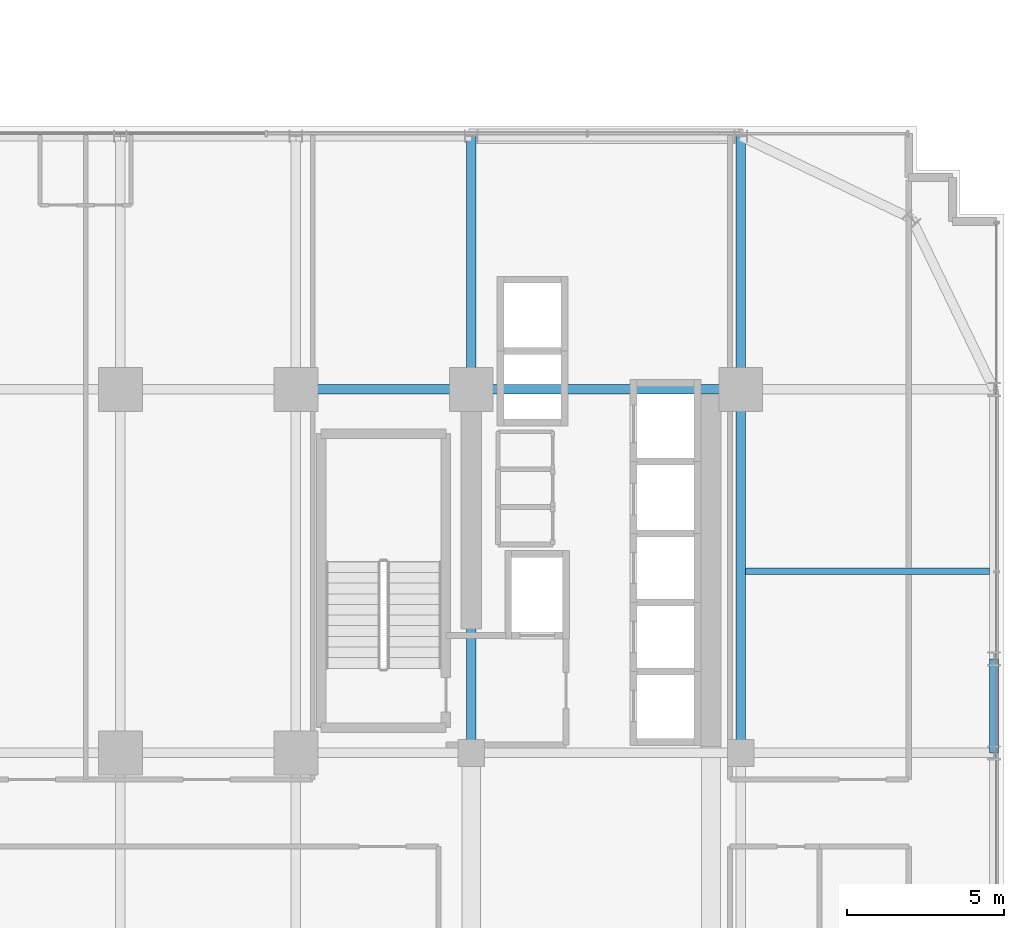
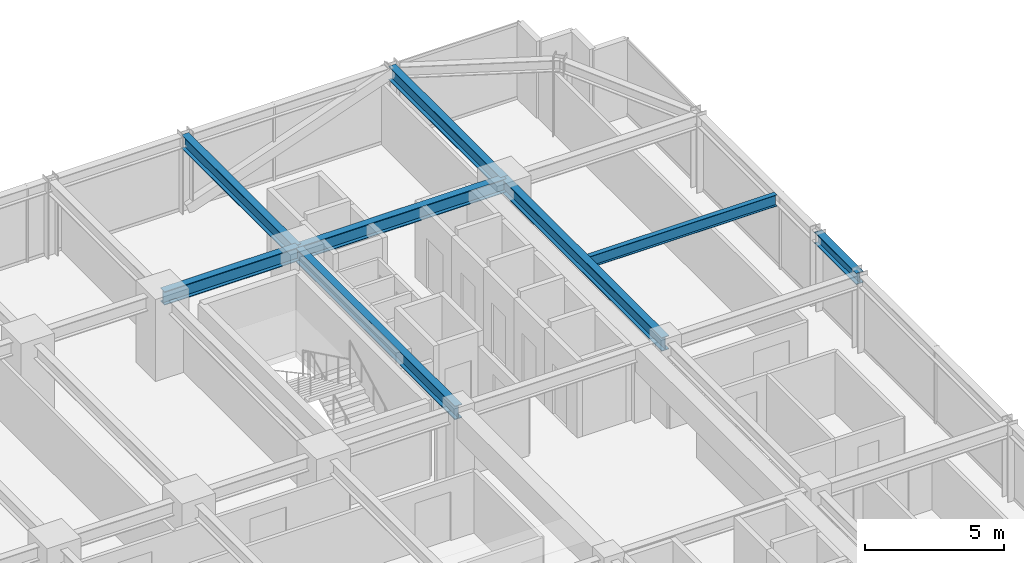
# One storey, part 24 of 36: 8 beams.
"""IFC4 building model written with IfcOpenShell, lengths in metres."""

from ifc_helpers import new_model, si_unit, direction, frame, origin, origin_2d, place, context, subcontext, project, spatial, i_section, extrude, source, transform, mapped, material, material_profile, profile_set, type_object, element, save


model = new_model("IFC4")

# Units and contexts
model_context = context("Model", 3, precision=1e-05, world=origin(), true_north=direction((0.0, 1.0)))
body_context = subcontext(model_context, "Body", "Model", "MODEL_VIEW")
ifc_project = project(units=[si_unit("LENGTHUNIT", "METRE"), si_unit("AREAUNIT", "SQUARE_METRE"), si_unit("VOLUMEUNIT", "CUBIC_METRE"), si_unit("PLANEANGLEUNIT", "RADIAN"), si_unit("MASSUNIT", "GRAM", prefix="KILO")], contexts=[model_context])

# Site, building, storey
site_placement = place(None, origin())
site = spatial("IfcSite", under=ifc_project, at=site_placement, CompositionType="ELEMENT")
building_placement = place(site_placement, origin())
building = spatial("IfcBuilding", under=site, at=building_placement, Name="Nahalor Promenade Grand Hotel", CompositionType="ELEMENT")
storey_placement = place(building_placement, frame((0.0, 0.0, 76.199951171875)))
storey = spatial("IfcBuildingStorey", under=building, at=storey_placement, Name="L18", CompositionType="ELEMENT", Elevation=76.199951171875)

# Beams
ifc_material = material(Name="Steel S355JR", Category="steel")
ifc_material_profile_1 = material_profile(ifc_material, i_section(OverallWidth=0.3, OverallDepth=0.6, WebThickness=0.0155, FlangeThickness=0.03, at=origin_2d()), Name="HEB 600")
ifc_profile_set_1 = profile_set([ifc_material_profile_1], Name="Steel S355JR")
beam_type_1 = type_object("IfcBeamType", Name="Beam-Girder-HEB600", PredefinedType="BEAM", material=ifc_profile_set_1)
shared_shape_1 = source(origin(), body_context, "Body", "SweptSolid", [
    extrude(i_section(OverallWidth=0.3, OverallDepth=0.6, WebThickness=0.0155, FlangeThickness=0.03, at=origin_2d()), origin(), (0.0, 0.0, 1.0), 8.60009765625),
])
beam_1_placement = place(storey_placement, frame((8.39990234375, 17.0, 3.070068359375), z_axis=(1.0, 0.0, 0.0), x_axis=(0.0, 1.0, 0.0)))
element("IfcBeam", 1, at=beam_1_placement, inside=storey, type_object=beam_type_1, Name="BM-L18-GX-3-5", PredefinedType="BEAM", context=body_context, shape_type="MappedRepresentation", body=[
    mapped(shared_shape_1, transform((0.0, 0.0, 0.0), scale=1.0)),
])
shared_shape_2 = source(origin(), body_context, "Body", "SweptSolid", [
    extrude(i_section(OverallWidth=0.3, OverallDepth=0.6, WebThickness=0.0155, FlangeThickness=0.03, at=origin_2d()), origin(), (0.0, 0.0, 1.0), 5.599853515625),
])
beam_2_placement = place(storey_placement, frame((2.800048828125, 17.0, 3.070068359375), z_axis=(1.0, 0.0, 0.0), x_axis=(0.0, 1.0, 0.0)))
element("IfcBeam", 2, at=beam_2_placement, inside=storey, type_object=beam_type_1, Name="BM-L18-GX-3-4", PredefinedType="BEAM", context=body_context, shape_type="MappedRepresentation", body=[
    mapped(shared_shape_2, transform((0.0, 0.0, 0.0), scale=1.0)),
])
shared_shape_3 = source(origin(), body_context, "Body", "SweptSolid", [
    extrude(i_section(OverallWidth=0.3, OverallDepth=0.6, WebThickness=0.0155, FlangeThickness=0.03, at=origin_2d()), origin(), (0.0, 0.0, 1.0), 11.60009765625),
])
for number, where, z_axis, x_axis, name in (
    (3, (8.39990234375, 5.39990234375, 3.070068359375), (0.0, 1.0, 0.0), (-1.0, 0.0, 0.0), "BM-L18-GY-4-3"),
    (4, (17.0, 5.39990234375, 3.070068359375), (0.0, 1.0, 0.0), (-1.0, 0.0, 0.0), "BM-L18-GY-5-3"),
):
    element("IfcBeam", number, at=place(storey_placement, frame(where, z_axis=z_axis, x_axis=x_axis)), inside=storey, type_object=beam_type_1, Name=name, PredefinedType="BEAM", context=body_context, shape_type="MappedRepresentation", body=[
        mapped(shared_shape_3, transform((0.0, 0.0, 0.0), scale=1.0)),
    ])
ifc_material_profile_2 = material_profile(ifc_material, i_section(OverallWidth=0.3, OverallDepth=0.5, WebThickness=0.0145, FlangeThickness=0.028, at=origin_2d()), Name="HEB 500")
ifc_profile_set_2 = profile_set([ifc_material_profile_2], Name="Steel S355JR")
beam_type_2 = type_object("IfcBeamType", Name="Beam-Spandrel-HEB500", PredefinedType="SPANDREL", material=ifc_profile_set_2)
shared_shape_4 = source(origin(), body_context, "Body", "SweptSolid", [
    extrude(i_section(OverallWidth=0.3, OverallDepth=0.5, WebThickness=0.0145, FlangeThickness=0.028, at=origin_2d()), origin(), (0.0, 0.0, 1.0), 3.0),
])
beam_3_placement = place(storey_placement, frame((25.080078125, 5.39990234375, 3.1201171875), z_axis=(0.0, 1.0, 0.0), x_axis=(-1.0, 0.0, 0.0)))
element("IfcBeam", 5, at=beam_3_placement, inside=storey, type_object=beam_type_2, Name="BM-L18-SP-E-3", PredefinedType="SPANDREL", context=body_context, shape_type="MappedRepresentation", body=[
    mapped(shared_shape_4, transform((0.0, 0.0, 0.0), scale=1.0)),
])
shared_shape_5 = source(origin(), body_context, "Body", "SweptSolid", [
    extrude(i_section(OverallWidth=0.3, OverallDepth=0.6, WebThickness=0.0155, FlangeThickness=0.03, at=origin_2d()), origin(), (0.0, 0.0, 1.0), 8.080078125),
])
for number, where, z_axis, x_axis, name in (
    (6, (8.39990234375, 17.0, 3.070068359375), (0.0, 1.0, 0.0), (-1.0, 0.0, 0.0), "BM-L18-GY-4-4"),
    (7, (17.0, 17.0, 3.070068359375), (0.0, 1.0, 0.0), (-1.0, 0.0, 0.0), "BM-L18-GY-5-4"),
):
    element("IfcBeam", number, at=place(storey_placement, frame(where, z_axis=z_axis, x_axis=x_axis)), inside=storey, type_object=beam_type_1, Name=name, PredefinedType="BEAM", context=body_context, shape_type="MappedRepresentation", body=[
        mapped(shared_shape_5, transform((0.0, 0.0, 0.0), scale=1.0)),
    ])
ifc_material_profile_3 = material_profile(ifc_material, i_section(OverallWidth=0.2, OverallDepth=0.5, WebThickness=0.0102, FlangeThickness=0.016, at=origin_2d()), Name="IPE 500")
ifc_profile_set_3 = profile_set([ifc_material_profile_3], Name="Steel S355JR")
beam_type_3 = type_object("IfcBeamType", Name="Beam-Joist-IPE500", PredefinedType="JOIST", material=ifc_profile_set_3)
shared_shape_6 = source(origin(), body_context, "Body", "SweptSolid", [
    extrude(i_section(OverallWidth=0.2, OverallDepth=0.5, WebThickness=0.0102, FlangeThickness=0.016, at=origin_2d()), origin(), (0.0, 0.0, 1.0), 7.780029296875),
])
beam_4_placement = place(storey_placement, frame((17.14990234375, 11.199951171875, 3.1201171875), z_axis=(1.0, 0.0, 0.0), x_axis=(0.0, 1.0, 0.0)))
element("IfcBeam", 8, at=beam_4_placement, inside=storey, type_object=beam_type_3, Name="BM-L18-JSE-1-2", PredefinedType="JOIST", context=body_context, shape_type="MappedRepresentation", body=[
    mapped(shared_shape_6, transform((0.0, 0.0, 0.0), scale=1.0)),
])

save(model, "model.ifc")
